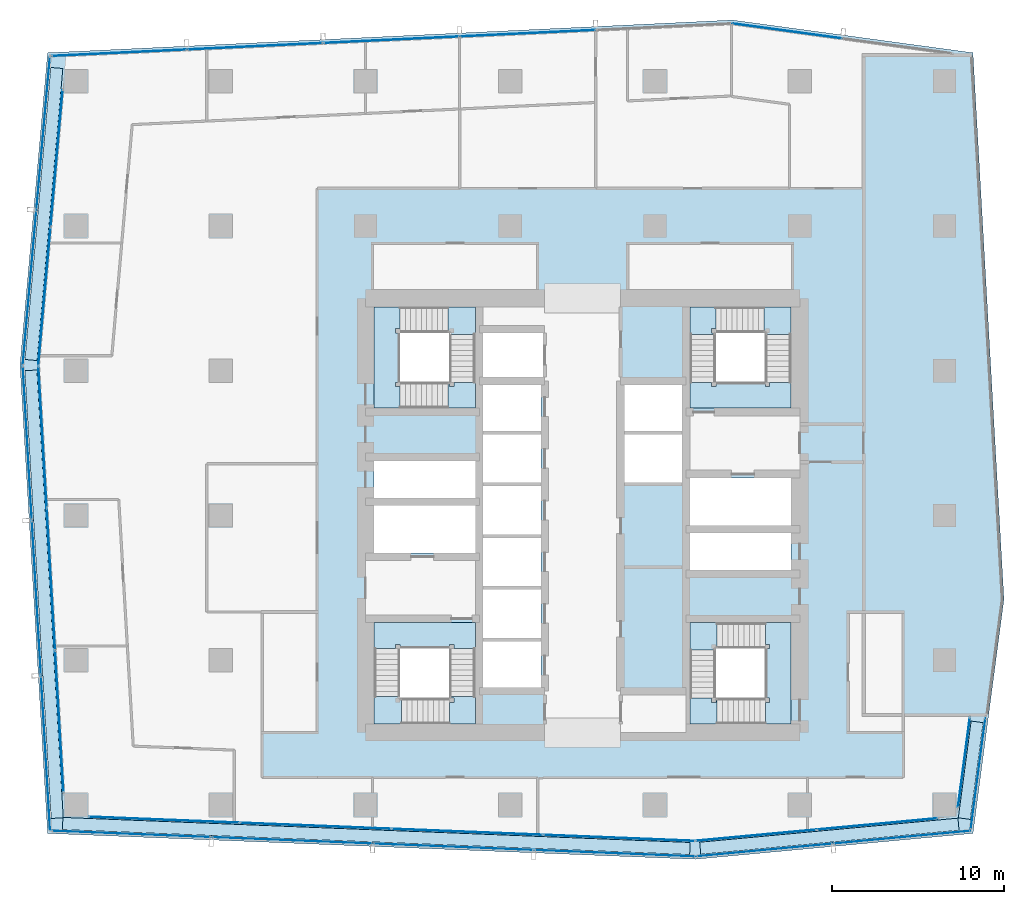
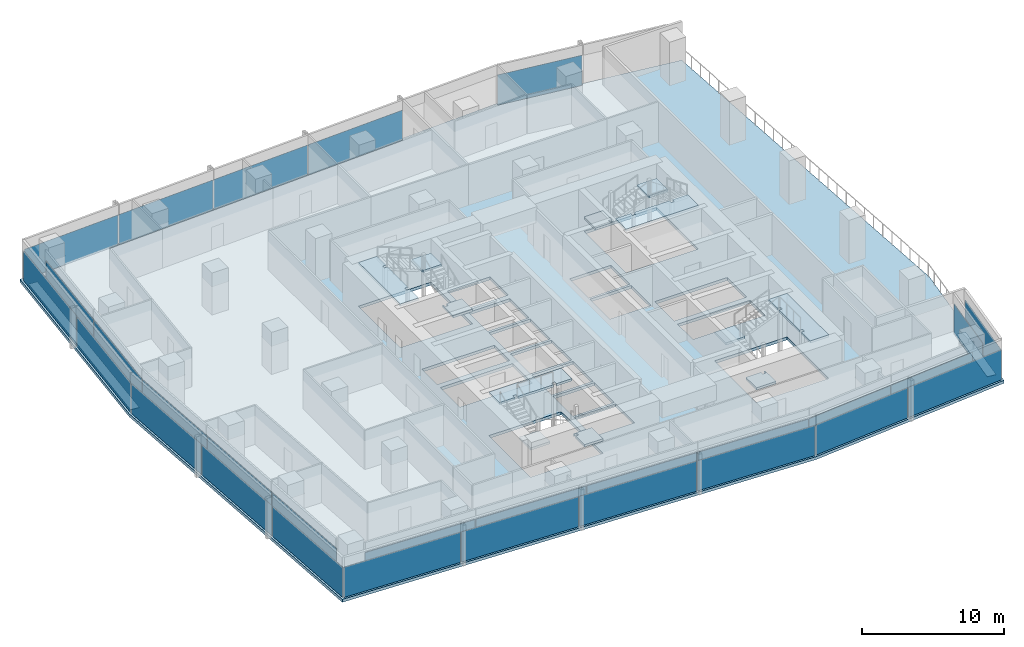
# One storey, part 21 of 33: 34 plates, 13 slabs, 16 elements without a shape of their own.
"""IFC4 building model written with IfcOpenShell, lengths in metres."""

from ifc_helpers import new_model, si_unit, direction, frame, origin, origin_2d, place, context, subcontext, project, spatial, polyline, rectangle, outline, extrude, material, layer, layer_set, type_object, element, aggregate, save


model = new_model("IFC4")

# Units and contexts
model_context = context("Model", 3, precision=1e-05, world=origin(), true_north=direction((0.0, 1.0)))
body_context = subcontext(model_context, "Body", "Model", "MODEL_VIEW")
ifc_project = project(units=[si_unit("LENGTHUNIT", "METRE"), si_unit("AREAUNIT", "SQUARE_METRE"), si_unit("VOLUMEUNIT", "CUBIC_METRE"), si_unit("PLANEANGLEUNIT", "RADIAN"), si_unit("MASSUNIT", "GRAM", prefix="KILO")], contexts=[model_context])

# Site, building, storey
site_placement = place(None, origin())
site = spatial("IfcSite", under=ifc_project, at=site_placement, CompositionType="ELEMENT")
building_placement = place(site_placement, origin())
building = spatial("IfcBuilding", under=site, at=building_placement, Name="Rekha Terrace Tower", CompositionType="ELEMENT")
storey_placement = place(building_placement, frame((0.0, 0.0, 206.449951171875)))
storey = spatial("IfcBuildingStorey", under=building, at=storey_placement, Name="L52", CompositionType="ELEMENT", Elevation=206.449951171875)

# Curtain wall, plates
ifc_material_1 = material(Name="Aluminium framing", Category="aluminium")
curtain_wall_type_1 = type_object("IfcCurtainWallType", Name="CW1 double skin inner glazing", PredefinedType="USERDEFINED", material=ifc_material_1)
curtain_wall_1_placement = place(storey_placement, origin())
curtain_wall_1 = element("IfcCurtainWall", 1, at=curtain_wall_1_placement, inside=storey, type_object=curtain_wall_type_1, Name="CW1 double skin inner glazing", ObjectType="DOUBLE SKIN INNER GLAZING", PredefinedType="USERDEFINED")
ifc_material_2 = material(Name="Double-glazed low-e unit 32", Category="glass")
ifc_layer_1 = layer(ifc_material_2, 0.031982421875)
ifc_layer_set_1 = layer_set([ifc_layer_1], Name="Double-glazed low-e unit 32")
plate_type_1 = type_object("IfcPlateType", Name="CW1 jumbo vision panel, double-glazed low-e unit 32", PredefinedType="CURTAIN_PANEL", material=ifc_layer_set_1)
plate_1_placement = place(storey_placement, frame((13.51318359375, 15.94091796875, 0.0), z_axis=(0.0, 0.0, 1.0), x_axis=(0.999204775798, -0.039872497061, 0.0)))
plate_1 = element("IfcPlate", 2, at=plate_1_placement, type_object=plate_type_1, Name="CW1 panel 1.1", PredefinedType="CURTAIN_PANEL", context=body_context, shape_type="SweptSolid", body=[
    extrude(rectangle(XDim=8.7138671875, YDim=0.031982421875, at=origin_2d()), origin(), (0.0, 0.0, 1.0), 2.60009765625),
])
plate_2_placement = place(storey_placement, frame((22.301025390625, 15.59033203125, 0.0), z_axis=(0.0, 0.0, 1.0), x_axis=(0.999204775798, -0.039872497061, 0.0)))
plate_2 = element("IfcPlate", 3, at=plate_2_placement, type_object=plate_type_1, Name="CW1 panel 2.1", PredefinedType="CURTAIN_PANEL", context=body_context, shape_type="SweptSolid", body=[
    extrude(rectangle(XDim=8.746337890625, YDim=0.031982421875, at=origin_2d()), origin(), (0.0, 0.0, 1.0), 2.60009765625),
])
plate_3_placement = place(storey_placement, frame((31.10546875, 15.239013671875, 0.0), z_axis=(0.0, 0.0, 1.0), x_axis=(0.999204775798, -0.039872497061, 0.0)))
plate_3 = element("IfcPlate", 4, at=plate_3_placement, type_object=plate_type_1, Name="CW1 panel 3.1", PredefinedType="CURTAIN_PANEL", context=body_context, shape_type="SweptSolid", body=[
    extrude(rectangle(XDim=8.746337890625, YDim=0.031982421875, at=origin_2d()), origin(), (0.0, 0.0, 1.0), 2.60009765625),
])
plate_4_placement = place(storey_placement, frame((39.926025390625, 14.886962890625, 0.0), z_axis=(0.0, 0.0, 1.0), x_axis=(0.999204775798, -0.039872497061, 0.0)))
plate_4 = element("IfcPlate", 5, at=plate_4_placement, type_object=plate_type_1, Name="CW1 panel 4.1", PredefinedType="CURTAIN_PANEL", context=body_context, shape_type="SweptSolid", body=[
    extrude(rectangle(XDim=8.77880859375, YDim=0.031982421875, at=origin_2d()), origin(), (0.0, 0.0, 1.0), 2.60009765625),
])
aggregate(curtain_wall_1, [plate_1, plate_2, plate_3, plate_4])

curtain_wall_2_placement = place(storey_placement, origin())
curtain_wall_2 = element("IfcCurtainWall", 6, at=curtain_wall_2_placement, inside=storey, type_object=curtain_wall_type_1, Name="CW1 double skin inner glazing", ObjectType="DOUBLE SKIN INNER GLAZING", PredefinedType="USERDEFINED")
plate_5_placement = place(storey_placement, frame((47.863037109375, 15.042724609375, 0.0), z_axis=(0.0, 0.0, 1.0), x_axis=(0.995693258742, 0.092708869564, 0.0)))
plate_5 = element("IfcPlate", 7, at=plate_5_placement, type_object=plate_type_1, Name="CW1 panel 1.1", PredefinedType="CURTAIN_PANEL", context=body_context, shape_type="SweptSolid", body=[
    extrude(rectangle(XDim=7.003173828125, YDim=0.031982421875, at=origin_2d()), origin(), (0.0, 0.0, 1.0), 2.60009765625),
])
plate_6_placement = place(storey_placement, frame((54.90087890625, 15.697998046875, 0.0), z_axis=(0.0, 0.0, 1.0), x_axis=(0.995693258742, 0.092708869564, 0.0)))
plate_6 = element("IfcPlate", 8, at=plate_6_placement, type_object=plate_type_1, Name="CW1 panel 2.1", PredefinedType="CURTAIN_PANEL", context=body_context, shape_type="SweptSolid", body=[
    extrude(rectangle(XDim=7.003173828125, YDim=0.031982421875, at=origin_2d()), origin(), (0.0, 0.0, 1.0), 2.60009765625),
])
aggregate(curtain_wall_2, [plate_5, plate_6])

# Curtain wall, plate
curtain_wall_3_placement = place(storey_placement, origin())
curtain_wall_3 = element("IfcCurtainWall", 9, at=curtain_wall_3_placement, inside=storey, type_object=curtain_wall_type_1, Name="CW1 double skin inner glazing", ObjectType="DOUBLE SKIN INNER GLAZING", PredefinedType="USERDEFINED")
plate_7_placement = place(storey_placement, frame((59.9248046875, 19.25732421875, 0.0), z_axis=(0.0, 0.0, 1.0), x_axis=(0.131303603162, 0.991342203175, 0.0)))
plate_7 = element("IfcPlate", 10, at=plate_7_placement, type_object=plate_type_1, Name="CW1 panel 1.1", PredefinedType="CURTAIN_PANEL", context=body_context, shape_type="SweptSolid", body=[
    extrude(rectangle(XDim=5.24609375, YDim=0.031982421875, at=origin_2d()), origin(), (0.0, 0.0, 1.0), 2.60009765625),
])
aggregate(curtain_wall_3, [plate_7])

# Curtain wall, plates
curtain_wall_4_placement = place(storey_placement, origin())
curtain_wall_4 = element("IfcCurtainWall", 11, at=curtain_wall_4_placement, inside=storey, type_object=curtain_wall_type_1, Name="CW1 double skin inner glazing", ObjectType="DOUBLE SKIN INNER GLAZING", PredefinedType="USERDEFINED")
plate_8_placement = place(storey_placement, frame((7.273193359375, 54.32421875, 0.0), z_axis=(0.0, 0.0, 1.0), x_axis=(-0.087957985523, -0.996124185422, 0.0)))
plate_8 = element("IfcPlate", 12, at=plate_8_placement, type_object=plate_type_1, Name="CW1 panel 1.1", PredefinedType="CURTAIN_PANEL", context=body_context, shape_type="SweptSolid", body=[
    extrude(rectangle(XDim=7.950927734375, YDim=0.031982421875, at=origin_2d()), origin(), (0.0, 0.0, 1.0), 2.60009765625),
])
plate_9_placement = place(storey_placement, frame((6.565185546875, 46.306884765625, 0.0), z_axis=(0.0, 0.0, 1.0), x_axis=(-0.087957985523, -0.996124185422, 0.0)))
plate_9 = element("IfcPlate", 13, at=plate_9_placement, type_object=plate_type_1, Name="CW1 panel 2.1", PredefinedType="CURTAIN_PANEL", context=body_context, shape_type="SweptSolid", body=[
    extrude(rectangle(XDim=8.01611328125, YDim=0.031982421875, at=origin_2d()), origin(), (0.0, 0.0, 1.0), 2.60009765625),
])
aggregate(curtain_wall_4, [plate_8, plate_9])

curtain_wall_5_placement = place(storey_placement, origin())
curtain_wall_5 = element("IfcCurtainWall", 14, at=curtain_wall_5_placement, inside=storey, type_object=curtain_wall_type_1, Name="CW1 double skin inner glazing", ObjectType="DOUBLE SKIN INNER GLAZING", PredefinedType="USERDEFINED")
plate_10_placement = place(storey_placement, frame((6.457275390625, 38.1611328125, 0.0), z_axis=(0.0, 0.0, 1.0), x_axis=(0.058765082516, -0.998271839269, 0.0)))
plate_10 = element("IfcPlate", 15, at=plate_10_placement, type_object=plate_type_1, Name="CW1 panel 1.1", PredefinedType="CURTAIN_PANEL", context=body_context, shape_type="SweptSolid", body=[
    extrude(rectangle(XDim=8.19091796875, YDim=0.031982421875, at=origin_2d()), origin(), (0.0, 0.0, 1.0), 2.60009765625),
])
plate_11_placement = place(storey_placement, frame((6.943359375, 29.9033203125, 0.0), z_axis=(0.0, 0.0, 1.0), x_axis=(0.058765082516, -0.998271839269, 0.0)))
plate_11 = element("IfcPlate", 16, at=plate_11_placement, type_object=plate_type_1, Name="CW1 panel 2.1", PredefinedType="CURTAIN_PANEL", context=body_context, shape_type="SweptSolid", body=[
    extrude(rectangle(XDim=8.223388671875, YDim=0.031982421875, at=origin_2d()), origin(), (0.0, 0.0, 1.0), 2.60009765625),
])
plate_12_placement = place(storey_placement, frame((7.429443359375, 21.645263671875, 0.0), z_axis=(0.0, 0.0, 1.0), x_axis=(0.058765082516, -0.998271839269, 0.0)))
plate_12 = element("IfcPlate", 17, at=plate_12_placement, type_object=plate_type_1, Name="CW1 panel 3.1", PredefinedType="CURTAIN_PANEL", context=body_context, shape_type="SweptSolid", body=[
    extrude(rectangle(XDim=8.19091796875, YDim=0.031982421875, at=origin_2d()), origin(), (0.0, 0.0, 1.0), 2.60009765625),
])
aggregate(curtain_wall_5, [plate_10, plate_11, plate_12])

curtain_wall_type_2 = type_object("IfcCurtainWallType", Name="CW2 double skin outer glazing", PredefinedType="USERDEFINED", material=ifc_material_1)
curtain_wall_6_placement = place(storey_placement, origin())
curtain_wall_6 = element("IfcCurtainWall", 18, at=curtain_wall_6_placement, inside=storey, type_object=curtain_wall_type_2, Name="CW2 double skin outer glazing", ObjectType="DOUBLE SKIN OUTER GLAZING", PredefinedType="USERDEFINED")
ifc_material_3 = material(Name="Toughened single glazing 12", Category="glass")
ifc_layer_2 = layer(ifc_material_3, 0.011962890625)
ifc_layer_set_2 = layer_set([ifc_layer_2], Name="Toughened single glazing 12")
plate_type_2 = type_object("IfcPlateType", Name="CW2 jumbo vision panel, toughened single glazing 12", PredefinedType="CURTAIN_PANEL", material=ifc_layer_set_2)
plate_13_placement = place(storey_placement, frame((11.6005859375, 15.116455078125, 0.0), z_axis=(0.0, 0.0, 1.0), x_axis=(0.999204775799, -0.039872497044, 0.0)))
plate_13 = element("IfcPlate", 19, at=plate_13_placement, type_object=plate_type_2, Name="CW2 panel 1.1", PredefinedType="CURTAIN_PANEL", context=body_context, shape_type="SweptSolid", body=[
    extrude(rectangle(XDim=9.24609375, YDim=0.011962890625, at=origin_2d()), origin(), (0.0, 0.0, 1.0), 2.60009765625),
])
plate_14_placement = place(storey_placement, frame((20.939208984375, 14.743896484375, 0.0), z_axis=(0.0, 0.0, 1.0), x_axis=(0.999204775799, -0.039872497044, 0.0)))
plate_14 = element("IfcPlate", 20, at=plate_14_placement, type_object=plate_type_2, Name="CW2 panel 2.1", PredefinedType="CURTAIN_PANEL", context=body_context, shape_type="SweptSolid", body=[
    extrude(rectangle(XDim=9.2861328125, YDim=0.011962890625, at=origin_2d()), origin(), (0.0, 0.0, 1.0), 2.60009765625),
])
plate_15_placement = place(storey_placement, frame((30.2978515625, 14.370361328125, 0.0), z_axis=(0.0, 0.0, 1.0), x_axis=(0.999204775799, -0.039872497044, 0.0)))
plate_15 = element("IfcPlate", 21, at=plate_15_placement, type_object=plate_type_2, Name="CW2 panel 3.1", PredefinedType="CURTAIN_PANEL", context=body_context, shape_type="SweptSolid", body=[
    extrude(rectangle(XDim=9.2861328125, YDim=0.011962890625, at=origin_2d()), origin(), (0.0, 0.0, 1.0), 2.60009765625),
])
plate_16_placement = place(storey_placement, frame((39.676513671875, 13.996337890625, 0.0), z_axis=(0.0, 0.0, 1.0), x_axis=(0.999204775799, -0.039872497044, 0.0)))
plate_16 = element("IfcPlate", 22, at=plate_16_placement, type_object=plate_type_2, Name="CW2 panel 4.1", PredefinedType="CURTAIN_PANEL", context=body_context, shape_type="SweptSolid", body=[
    extrude(rectangle(XDim=9.326171875, YDim=0.011962890625, at=origin_2d()), origin(), (0.0, 0.0, 1.0), 2.60009765625),
])
aggregate(curtain_wall_6, [plate_13, plate_14, plate_15, plate_16])

curtain_wall_7_placement = place(storey_placement, origin())
curtain_wall_7 = element("IfcCurtainWall", 23, at=curtain_wall_7_placement, inside=storey, type_object=curtain_wall_type_2, Name="CW2 double skin outer glazing", ObjectType="DOUBLE SKIN OUTER GLAZING", PredefinedType="USERDEFINED")
plate_17_placement = place(storey_placement, frame((48.348876953125, 14.183837890625, 0.0), z_axis=(0.0, 0.0, 1.0), x_axis=(0.995693258747, 0.092708869512, 0.0)))
plate_17 = element("IfcPlate", 24, at=plate_17_placement, type_object=plate_type_2, Name="CW2 panel 1.1", PredefinedType="CURTAIN_PANEL", context=body_context, shape_type="SweptSolid", body=[
    extrude(rectangle(XDim=7.900634765625, YDim=0.011962890625, at=origin_2d()), origin(), (0.0, 0.0, 1.0), 2.60009765625),
])
plate_18_placement = place(storey_placement, frame((56.3349609375, 14.927490234375, 0.0), z_axis=(0.0, 0.0, 1.0), x_axis=(0.995693258747, 0.092708869512, 0.0)))
plate_18 = element("IfcPlate", 25, at=plate_18_placement, type_object=plate_type_2, Name="CW2 panel 2.1", PredefinedType="CURTAIN_PANEL", context=body_context, shape_type="SweptSolid", body=[
    extrude(rectangle(XDim=7.980712890625, YDim=0.011962890625, at=origin_2d()), origin(), (0.0, 0.0, 1.0), 2.60009765625),
])
aggregate(curtain_wall_7, [plate_17, plate_18])

# Curtain wall, plate
curtain_wall_8_placement = place(storey_placement, origin())
curtain_wall_8 = element("IfcCurtainWall", 26, at=curtain_wall_8_placement, inside=storey, type_object=curtain_wall_type_2, Name="CW2 double skin outer glazing", ObjectType="DOUBLE SKIN OUTER GLAZING", PredefinedType="USERDEFINED")
plate_19_placement = place(storey_placement, frame((60.746826171875, 18.60986328125, 0.0), z_axis=(0.0, 0.0, 1.0), x_axis=(0.13130360311, 0.991342203182, 0.0)))
plate_19 = element("IfcPlate", 27, at=plate_19_placement, type_object=plate_type_2, Name="CW2 panel 1.1", PredefinedType="CURTAIN_PANEL", context=body_context, shape_type="SweptSolid", body=[
    extrude(rectangle(XDim=6.5224609375, YDim=0.011962890625, at=origin_2d()), origin(), (0.0, 0.0, 1.0), 2.60009765625),
])
aggregate(curtain_wall_8, [plate_19])

# Curtain wall, plates
curtain_wall_9_placement = place(storey_placement, origin())
curtain_wall_9 = element("IfcCurtainWall", 28, at=curtain_wall_9_placement, inside=storey, type_object=curtain_wall_type_2, Name="CW2 double skin outer glazing", ObjectType="DOUBLE SKIN OUTER GLAZING", PredefinedType="USERDEFINED")
plate_20_placement = place(storey_placement, frame((6.498779296875, 55.78466796875, 0.0), z_axis=(0.0, 0.0, 1.0), x_axis=(-0.087957985453, -0.996124185428, 0.0)))
plate_20 = element("IfcPlate", 29, at=plate_20_placement, type_object=plate_type_2, Name="CW2 panel 1.1", PredefinedType="CURTAIN_PANEL", context=body_context, shape_type="SweptSolid", body=[
    extrude(rectangle(XDim=8.899658203125, YDim=0.011962890625, at=origin_2d()), origin(), (0.0, 0.0, 1.0), 2.60009765625),
])
plate_21_placement = place(storey_placement, frame((5.705322265625, 46.800048828125, 0.0), z_axis=(0.0, 0.0, 1.0), x_axis=(-0.087957985453, -0.996124185428, 0.0)))
plate_21 = element("IfcPlate", 30, at=plate_21_placement, type_object=plate_type_2, Name="CW2 panel 2.1", PredefinedType="CURTAIN_PANEL", context=body_context, shape_type="SweptSolid", body=[
    extrude(rectangle(XDim=8.9794921875, YDim=0.011962890625, at=origin_2d()), origin(), (0.0, 0.0, 1.0), 2.60009765625),
])
aggregate(curtain_wall_9, [plate_20, plate_21])

curtain_wall_10_placement = place(storey_placement, origin())
curtain_wall_10 = element("IfcCurtainWall", 31, at=curtain_wall_10_placement, inside=storey, type_object=curtain_wall_type_2, Name="CW2 double skin outer glazing", ObjectType="DOUBLE SKIN OUTER GLAZING", PredefinedType="USERDEFINED")
plate_22_placement = place(storey_placement, frame((5.57666015625, 37.8037109375, 0.0), z_axis=(0.0, 0.0, 1.0), x_axis=(0.058765082499, -0.99827183927, 0.0)))
plate_22 = element("IfcPlate", 32, at=plate_22_placement, type_object=plate_type_2, Name="CW2 panel 1.1", PredefinedType="CURTAIN_PANEL", context=body_context, shape_type="SweptSolid", body=[
    extrude(rectangle(XDim=8.903564453125, YDim=0.011962890625, at=origin_2d()), origin(), (0.0, 0.0, 1.0), 2.60009765625),
])
plate_23_placement = place(storey_placement, frame((6.105712890625, 28.81591796875, 0.0), z_axis=(0.0, 0.0, 1.0), x_axis=(0.058765082499, -0.99827183927, 0.0)))
plate_23 = element("IfcPlate", 33, at=plate_23_placement, type_object=plate_type_2, Name="CW2 panel 2.1", PredefinedType="CURTAIN_PANEL", context=body_context, shape_type="SweptSolid", body=[
    extrude(rectangle(XDim=8.943359375, YDim=0.011962890625, at=origin_2d()), origin(), (0.0, 0.0, 1.0), 2.60009765625),
])
plate_24_placement = place(storey_placement, frame((6.63720703125, 19.7880859375, 0.0), z_axis=(0.0, 0.0, 1.0), x_axis=(0.058765082499, -0.99827183927, 0.0)))
plate_24 = element("IfcPlate", 34, at=plate_24_placement, type_object=plate_type_2, Name="CW2 panel 3.1", PredefinedType="CURTAIN_PANEL", context=body_context, shape_type="SweptSolid", body=[
    extrude(rectangle(XDim=8.9833984375, YDim=0.011962890625, at=origin_2d()), origin(), (0.0, 0.0, 1.0), 2.60009765625),
])
aggregate(curtain_wall_10, [plate_22, plate_23, plate_24])

# Curtain wall, plate
curtain_wall_type_3 = type_object("IfcCurtainWallType", Name="CW3 north unitised glazing", PredefinedType="USERDEFINED", material=ifc_material_1)
curtain_wall_11_placement = place(storey_placement, origin())
curtain_wall_11 = element("IfcCurtainWall", 35, at=curtain_wall_11_placement, inside=storey, type_object=curtain_wall_type_3, Name="CW3 unitised curtain wall", ObjectType="UNITISED CURTAIN WALL", PredefinedType="USERDEFINED")
ifc_material_4 = material(Name="Double-glazed unit 28", Category="glass")
ifc_layer_3 = layer(ifc_material_4, 0.028076171875)
ifc_layer_set_3 = layer_set([ifc_layer_3], Name="Double-glazed unit 28")
plate_type_3 = type_object("IfcPlateType", Name="CW3 jumbo vision panel, double-glazed unit 28", PredefinedType="CURTAIN_PANEL", material=ifc_layer_set_3)
plate_25_placement = place(storey_placement, frame((49.6591796875, 61.716552734375, 0.0), z_axis=(0.0, 0.0, 1.0), x_axis=(-0.990867270506, 0.134840840399, 0.0)))
plate_25 = element("IfcPlate", 36, at=plate_25_placement, type_object=plate_type_3, Name="CW3 panel 2.1", PredefinedType="CURTAIN_PANEL", context=body_context, shape_type="SweptSolid", body=[
    extrude(rectangle(XDim=6.41845703125, YDim=0.028076171875, at=origin_2d()), origin(), (0.0, 0.0, 1.0), 2.60009765625),
])
aggregate(curtain_wall_11, [plate_25])

# Curtain wall, plates
curtain_wall_12_placement = place(storey_placement, origin())
curtain_wall_12 = element("IfcCurtainWall", 37, at=curtain_wall_12_placement, inside=storey, type_object=curtain_wall_type_3, Name="CW3 unitised curtain wall", ObjectType="UNITISED CURTAIN WALL", PredefinedType="USERDEFINED")
plate_26_placement = place(storey_placement, frame((34.61572265625, 61.58203125, 0.0), z_axis=(0.0, 0.0, 1.0), x_axis=(-0.998858906204, -0.047758616983, 0.0)))
plate_26 = element("IfcPlate", 38, at=plate_26_placement, type_object=plate_type_3, Name="CW3 panel 2.1", PredefinedType="CURTAIN_PANEL", context=body_context, shape_type="SweptSolid", body=[
    extrude(rectangle(XDim=7.84814453125, YDim=0.028076171875, at=origin_2d()), origin(), (0.0, 0.0, 1.0), 2.60009765625),
])
plate_27_placement = place(storey_placement, frame((26.70654296875, 61.203857421875, 0.0), z_axis=(0.0, 0.0, 1.0), x_axis=(-0.998858906204, -0.047758616983, 0.0)))
plate_27 = element("IfcPlate", 39, at=plate_27_placement, type_object=plate_type_3, Name="CW3 panel 3.1", PredefinedType="CURTAIN_PANEL", context=body_context, shape_type="SweptSolid", body=[
    extrude(rectangle(XDim=7.84814453125, YDim=0.028076171875, at=origin_2d()), origin(), (0.0, 0.0, 1.0), 2.60009765625),
])
plate_28_placement = place(storey_placement, frame((18.79736328125, 60.82568359375, 0.0), z_axis=(0.0, 0.0, 1.0), x_axis=(-0.998858906204, -0.047758616983, 0.0)))
plate_28 = element("IfcPlate", 40, at=plate_28_placement, type_object=plate_type_3, Name="CW3 panel 4.1", PredefinedType="CURTAIN_PANEL", context=body_context, shape_type="SweptSolid", body=[
    extrude(rectangle(XDim=7.84814453125, YDim=0.028076171875, at=origin_2d()), origin(), (0.0, 0.0, 1.0), 2.60009765625),
])
plate_29_placement = place(storey_placement, frame((10.906005859375, 60.448486328125, 0.0), z_axis=(0.0, 0.0, 1.0), x_axis=(-0.998858906204, -0.047758616983, 0.0)))
plate_29 = element("IfcPlate", 41, at=plate_29_placement, type_object=plate_type_3, Name="CW3 panel 5.1", PredefinedType="CURTAIN_PANEL", context=body_context, shape_type="SweptSolid", body=[
    extrude(rectangle(XDim=7.81298828125, YDim=0.028076171875, at=origin_2d()), origin(), (0.0, 0.0, 1.0), 2.60009765625),
])
aggregate(curtain_wall_12, [plate_26, plate_27, plate_28, plate_29])

# Plates
ifc_material_5 = material(Name="Galvanised steel open grating", Category="steel")
ifc_layer_4 = layer(ifc_material_5, 0.050048828125)
ifc_layer_set_4 = layer_set([ifc_layer_4], Name="Galvanised steel open grating")
plate_type_4 = type_object("IfcPlateType", Name="GT1 cavity walkway grating 50", PredefinedType="USERDEFINED", material=ifc_layer_set_4)
plate_30_placement = place(storey_placement, frame((25.8251953125, 14.999267578125, 0.0), z_axis=(0.0, 0.0, 1.0), x_axis=(0.999204775799, -0.039872497044, 0.0)))
element("IfcPlate", 42, at=plate_30_placement, inside=storey, type_object=plate_type_4, Name="Cavity walkway grating", ObjectType="CAVITY WALKWAY GRATING", PredefinedType="USERDEFINED", context=body_context, shape_type="SweptSolid", body=[
    extrude(rectangle(XDim=36.4267578125, YDim=0.705078125, at=origin_2d()), origin(), (0.0, 0.0, 1.0), 0.050048828125),
])
plate_31_placement = place(storey_placement, frame((52.116455078125, 14.98681640625, 0.0), z_axis=(0.0, 0.0, 1.0), x_axis=(0.995693258745, 0.092708869529, 0.0)))
element("IfcPlate", 43, at=plate_31_placement, inside=storey, type_object=plate_type_4, Name="Cavity walkway grating", ObjectType="CAVITY WALKWAY GRATING", PredefinedType="USERDEFINED", context=body_context, shape_type="SweptSolid", body=[
    extrude(rectangle(XDim=15.052734375, YDim=0.705078125, at=origin_2d()), origin(), (0.0, 0.0, 1.0), 0.050048828125),
])
plate_32_placement = place(storey_placement, frame((60.3203125, 18.817138671875, 0.0), z_axis=(0.0, 0.0, 1.0), x_axis=(0.131303603075, 0.991342203187, 0.0)))
element("IfcPlate", 44, at=plate_32_placement, inside=storey, type_object=plate_type_4, Name="Cavity walkway grating", ObjectType="CAVITY WALKWAY GRATING", PredefinedType="USERDEFINED", context=body_context, shape_type="SweptSolid", body=[
    extrude(rectangle(XDim=5.6640625, YDim=0.705078125, at=origin_2d()), origin(), (0.0, 0.0, 1.0), 0.050048828125),
])
plate_33_placement = place(storey_placement, frame((6.5361328125, 51.093505859375, 0.0), z_axis=(0.0, 0.0, 1.0), x_axis=(-0.087957985471, -0.996124185427, 0.0)))
element("IfcPlate", 45, at=plate_33_placement, inside=storey, type_object=plate_type_4, Name="Cavity walkway grating", ObjectType="CAVITY WALKWAY GRATING", PredefinedType="USERDEFINED", context=body_context, shape_type="SweptSolid", body=[
    extrude(rectangle(XDim=17.013427734375, YDim=0.705078125, at=origin_2d()), origin(), (0.0, 0.0, 1.0), 0.050048828125),
])
plate_34_placement = place(storey_placement, frame((6.5439453125, 29.029296875, 0.0), z_axis=(0.0, 0.0, 1.0), x_axis=(0.058765082516, -0.998271839269, 0.0)))
element("IfcPlate", 46, at=plate_34_placement, inside=storey, type_object=plate_type_4, Name="Cavity walkway grating", ObjectType="CAVITY WALKWAY GRATING", PredefinedType="USERDEFINED", context=body_context, shape_type="SweptSolid", body=[
    extrude(rectangle(XDim=26.029541015625, YDim=0.705078125, at=origin_2d()), origin(), (0.0, 0.0, 1.0), 0.050048828125),
])

# Stair, slabs
ifc_material_6 = material(Name="Concrete M40", Category="concrete")
stair_type = type_object("IfcStairType", Name="ST30 stair, 30 risers of 125, going 310, 1500 wide flights, 3 flights", PredefinedType="HALF_TURN_STAIR", material=ifc_material_6)
stair_1_placement = place(storey_placement, origin())
stair_1 = element("IfcStair", 47, at=stair_1_placement, inside=storey, type_object=stair_type, Name="Stair ST1 L52 to L53", PredefinedType="HALF_TURN_STAIR")
ifc_layer_5 = layer(ifc_material_6, 0.199951171875)
ifc_layer_set_5 = layer_set([ifc_layer_5], Name="Concrete M40")
slab_type_1 = type_object("IfcSlabType", Name="LD1 200 concrete stair landing", PredefinedType="LANDING", material=ifc_layer_set_5)
slab_1_placement = place(storey_placement, frame((0.0, 0.0, 1.050048828125)))
slab_1 = element("IfcSlab", 48, at=slab_1_placement, type_object=slab_type_1, Name="ST1 landing 1", PredefinedType="LANDING", context=body_context, shape_type="SweptSolid", body=[
    extrude(outline(polyline([(30.074951171875, 21.5), (31.574951171875, 21.5), (31.574951171875, 23.0849609375), (30.074951171875, 23.0849609375), (30.074951171875, 23.0), (30.324951171875, 23.0), (30.324951171875, 22.75), (30.074951171875, 22.75), (30.074951171875, 21.5)])), origin(), (0.0, 0.0, 1.0), 0.199951171875),
])
slab_2_placement = place(storey_placement, frame((0.0, 0.0, 2.300048828125)))
slab_2 = element("IfcSlab", 49, at=slab_2_placement, type_object=slab_type_1, Name="ST1 landing 2", PredefinedType="LANDING", context=body_context, shape_type="SweptSolid", body=[
    extrude(outline(polyline([(27.199951171875, 23.0849609375), (25.699951171875, 23.0849609375), (25.699951171875, 21.5), (27.284912109375, 21.5), (27.284912109375, 23.0), (27.199951171875, 23.0), (27.199951171875, 23.0849609375)])), origin(), (0.0, 0.0, 1.0), 0.199951171875),
])
slab_3_placement = place(storey_placement, frame((0.0, 0.0, 3.550048828125)))
slab_3 = element("IfcSlab", 50, at=slab_3_placement, type_object=slab_type_1, Name="ST1 landing 3", PredefinedType="LANDING", context=body_context, shape_type="SweptSolid", body=[
    extrude(outline(polyline([(31.574951171875, 25.875), (31.574951171875, 27.375), (25.699951171875, 27.375), (25.699951171875, 25.875), (26.949951171875, 25.875), (26.949951171875, 26.125), (27.199951171875, 26.125), (27.199951171875, 25.875), (30.074951171875, 25.875), (30.074951171875, 26.125), (30.324951171875, 26.125), (30.324951171875, 25.875), (31.574951171875, 25.875)])), origin(), (0.0, 0.0, 1.0), 0.199951171875),
])
aggregate(stair_1, [slab_1, slab_2, slab_3])

stair_2_placement = place(storey_placement, origin())
stair_2 = element("IfcStair", 51, at=stair_2_placement, inside=storey, type_object=stair_type, Name="Stair ST2 L52 to L53", PredefinedType="HALF_TURN_STAIR")
slab_4_placement = place(storey_placement, frame((0.0, 0.0, 1.050048828125)))
slab_4 = element("IfcSlab", 52, at=slab_4_placement, type_object=slab_type_1, Name="ST2 landing 1", PredefinedType="LANDING", context=body_context, shape_type="SweptSolid", body=[
    extrude(outline(polyline([(45.52490234375, 45.699951171875), (44.02490234375, 45.699951171875), (44.02490234375, 44.114990234375), (45.52490234375, 44.114990234375), (45.52490234375, 44.199951171875), (45.27490234375, 44.199951171875), (45.27490234375, 44.449951171875), (45.52490234375, 44.449951171875), (45.52490234375, 45.699951171875)])), origin(), (0.0, 0.0, 1.0), 0.199951171875),
])
slab_5_placement = place(storey_placement, frame((0.0, 0.0, 2.300048828125)))
slab_5 = element("IfcSlab", 53, at=slab_5_placement, type_object=slab_type_1, Name="ST2 landing 2", PredefinedType="LANDING", context=body_context, shape_type="SweptSolid", body=[
    extrude(outline(polyline([(48.39990234375, 44.114990234375), (49.89990234375, 44.114990234375), (49.89990234375, 45.699951171875), (48.31494140625, 45.699951171875), (48.31494140625, 44.199951171875), (48.39990234375, 44.199951171875), (48.39990234375, 44.114990234375)])), origin(), (0.0, 0.0, 1.0), 0.199951171875),
])
slab_6_placement = place(storey_placement, frame((0.0, 0.0, 3.550048828125)))
slab_6 = element("IfcSlab", 54, at=slab_6_placement, type_object=slab_type_1, Name="ST2 landing 3", PredefinedType="LANDING", context=body_context, shape_type="SweptSolid", body=[
    extrude(outline(polyline([(44.02490234375, 41.324951171875), (44.02490234375, 39.824951171875), (49.89990234375, 39.824951171875), (49.89990234375, 41.324951171875), (48.64990234375, 41.324951171875), (48.64990234375, 41.074951171875), (48.39990234375, 41.074951171875), (48.39990234375, 41.324951171875), (45.52490234375, 41.324951171875), (45.52490234375, 41.074951171875), (45.27490234375, 41.074951171875), (45.27490234375, 41.324951171875), (44.02490234375, 41.324951171875)])), origin(), (0.0, 0.0, 1.0), 0.199951171875),
])
aggregate(stair_2, [slab_4, slab_5, slab_6])

stair_3_placement = place(storey_placement, origin())
stair_3 = element("IfcStair", 55, at=stair_3_placement, inside=storey, type_object=stair_type, Name="Stair ST3 L52 to L53", PredefinedType="HALF_TURN_STAIR")
slab_7_placement = place(storey_placement, frame((0.0, 0.0, 1.050048828125)))
slab_7 = element("IfcSlab", 56, at=slab_7_placement, type_object=slab_type_1, Name="ST3 landing 1", PredefinedType="LANDING", context=body_context, shape_type="SweptSolid", body=[
    extrude(outline(polyline([(44.02490234375, 23.0), (44.02490234375, 21.5), (45.610107421875, 21.5), (45.610107421875, 23.0), (45.52490234375, 23.0), (45.52490234375, 22.75), (45.27490234375, 22.75), (45.27490234375, 23.0), (44.02490234375, 23.0)])), origin(), (0.0, 0.0, 1.0), 0.199951171875),
])
slab_8_placement = place(storey_placement, frame((0.0, 0.0, 2.300048828125)))
slab_8 = element("IfcSlab", 57, at=slab_8_placement, type_object=slab_type_1, Name="ST3 landing 2", PredefinedType="LANDING", context=body_context, shape_type="SweptSolid", body=[
    extrude(outline(polyline([(45.610107421875, 25.875), (45.610107421875, 27.375), (44.02490234375, 27.375), (44.02490234375, 25.7900390625), (45.52490234375, 25.7900390625), (45.52490234375, 25.875), (45.610107421875, 25.875)])), origin(), (0.0, 0.0, 1.0), 0.199951171875),
])
slab_9_placement = place(storey_placement, frame((0.0, 0.0, 3.550048828125)))
slab_9 = element("IfcSlab", 58, at=slab_9_placement, type_object=slab_type_1, Name="ST3 landing 3", PredefinedType="LANDING", context=body_context, shape_type="SweptSolid", body=[
    extrude(outline(polyline([(48.39990234375, 21.5), (49.89990234375, 21.5), (49.89990234375, 27.375), (48.39990234375, 27.375), (48.39990234375, 26.125), (48.64990234375, 26.125), (48.64990234375, 25.875), (48.39990234375, 25.875), (48.39990234375, 23.0), (48.64990234375, 23.0), (48.64990234375, 22.75), (48.39990234375, 22.75), (48.39990234375, 21.5)])), origin(), (0.0, 0.0, 1.0), 0.199951171875),
])
aggregate(stair_3, [slab_7, slab_8, slab_9])

stair_4_placement = place(storey_placement, origin())
stair_4 = element("IfcStair", 59, at=stair_4_placement, inside=storey, type_object=stair_type, Name="Stair ST4 L52 to L53", PredefinedType="HALF_TURN_STAIR")
slab_10_placement = place(storey_placement, frame((0.0, 0.0, 1.050048828125)))
slab_10 = element("IfcSlab", 60, at=slab_10_placement, type_object=slab_type_1, Name="ST4 landing 1", PredefinedType="LANDING", context=body_context, shape_type="SweptSolid", body=[
    extrude(outline(polyline([(31.574951171875, 41.324951171875), (31.574951171875, 39.824951171875), (29.989990234375, 39.824951171875), (29.989990234375, 41.324951171875), (30.074951171875, 41.324951171875), (30.074951171875, 41.074951171875), (30.324951171875, 41.074951171875), (30.324951171875, 41.324951171875), (31.574951171875, 41.324951171875)])), origin(), (0.0, 0.0, 1.0), 0.199951171875),
])
slab_11_placement = place(storey_placement, frame((0.0, 0.0, 2.300048828125)))
slab_11 = element("IfcSlab", 61, at=slab_11_placement, type_object=slab_type_1, Name="ST4 landing 2", PredefinedType="LANDING", context=body_context, shape_type="SweptSolid", body=[
    extrude(outline(polyline([(29.989990234375, 44.199951171875), (29.989990234375, 45.699951171875), (31.574951171875, 45.699951171875), (31.574951171875, 44.114990234375), (30.074951171875, 44.114990234375), (30.074951171875, 44.199951171875), (29.989990234375, 44.199951171875)])), origin(), (0.0, 0.0, 1.0), 0.199951171875),
])
slab_12_placement = place(storey_placement, frame((0.0, 0.0, 3.550048828125)))
slab_12 = element("IfcSlab", 62, at=slab_12_placement, type_object=slab_type_1, Name="ST4 landing 3", PredefinedType="LANDING", context=body_context, shape_type="SweptSolid", body=[
    extrude(outline(polyline([(27.199951171875, 39.824951171875), (25.699951171875, 39.824951171875), (25.699951171875, 45.699951171875), (27.199951171875, 45.699951171875), (27.199951171875, 44.449951171875), (26.949951171875, 44.449951171875), (26.949951171875, 44.199951171875), (27.199951171875, 44.199951171875), (27.199951171875, 41.324951171875), (26.949951171875, 41.324951171875), (26.949951171875, 41.074951171875), (27.199951171875, 41.074951171875), (27.199951171875, 39.824951171875)])), origin(), (0.0, 0.0, 1.0), 0.199951171875),
])
aggregate(stair_4, [slab_10, slab_11, slab_12])

# Slab
ifc_material_7 = material(Name="Concrete M50", Category="concrete")
ifc_layer_6 = layer(ifc_material_7, 0.25)
ifc_layer_set_6 = layer_set([ifc_layer_6], Name="Concrete M50")
slab_type_2 = type_object("IfcSlabType", Name="SL4 250 post-tensioned flat plate", PredefinedType="FLOOR", material=ifc_layer_set_6)
slab_13_placement = place(storey_placement, frame((0.0, 0.0, -0.25)))
element("IfcSlab", 63, at=slab_13_placement, inside=storey, type_object=slab_type_2, Name="Post-tensioned flat plate L52", PredefinedType="FLOOR", context=body_context, shape_type="SweptSolid", body=[
    extrude(outline(polyline([(5.14990234375, 42.330078125), (6.75, 15.14990234375), (44.340087890625, 13.64990234375), (60.449951171875, 15.14990234375), (62.25, 28.739990234375), (60.449951171875, 60.449951171875), (46.488037109375, 62.35009765625), (6.75, 60.449951171875), (5.14990234375, 42.330078125)]), holes=[polyline([(31.574951171875, 27.375), (31.574951171875, 21.5), (25.699951171875, 21.5), (25.699951171875, 27.375), (31.574951171875, 27.375)]), polyline([(35.375, 26.300048828125), (35.375, 23.625), (32.02490234375, 23.625), (32.02490234375, 26.300048828125), (35.375, 26.300048828125)]), polyline([(35.375, 29.300048828125), (35.375, 26.5), (32.02490234375, 26.5), (32.02490234375, 29.300048828125), (35.375, 29.300048828125)]), polyline([(35.375, 32.300048828125), (35.375, 29.5), (32.02490234375, 29.5), (32.02490234375, 32.300048828125), (35.375, 32.300048828125)]), polyline([(31.574951171875, 34.175048828125), (31.574951171875, 31.425048828125), (25.699951171875, 31.425048828125), (25.699951171875, 34.175048828125), (31.574951171875, 34.175048828125)]), polyline([(35.375, 35.300048828125), (35.375, 32.5), (32.02490234375, 32.5), (32.02490234375, 35.300048828125), (35.375, 35.300048828125)]), polyline([(31.574951171875, 36.77490234375), (31.574951171875, 34.625), (25.699951171875, 34.625), (25.699951171875, 36.77490234375), (31.574951171875, 36.77490234375)]), polyline([(35.375, 38.300048828125), (35.375, 35.5), (32.02490234375, 35.5), (32.02490234375, 38.300048828125), (35.375, 38.300048828125)]), polyline([(31.574951171875, 45.699951171875), (31.574951171875, 39.824951171875), (25.699951171875, 39.824951171875), (25.699951171875, 45.699951171875), (31.574951171875, 45.699951171875)]), polyline([(49.89990234375, 27.375), (49.89990234375, 21.5), (44.02490234375, 21.5), (44.02490234375, 27.375), (49.89990234375, 27.375)]), polyline([(49.89990234375, 32.574951171875), (49.89990234375, 30.425048828125), (44.02490234375, 30.425048828125), (44.02490234375, 32.574951171875), (49.89990234375, 32.574951171875)]), polyline([(49.89990234375, 35.77490234375), (49.89990234375, 33.02490234375), (44.02490234375, 33.02490234375), (44.02490234375, 35.77490234375), (49.89990234375, 35.77490234375)]), polyline([(43.574951171875, 38.300048828125), (43.574951171875, 35.5), (40.22509765625, 35.5), (40.22509765625, 38.300048828125), (43.574951171875, 38.300048828125)]), polyline([(35.375, 41.175048828125), (35.375, 38.5), (32.02490234375, 38.5), (32.02490234375, 41.175048828125), (35.375, 41.175048828125)]), polyline([(43.574951171875, 41.175048828125), (43.574951171875, 38.5), (40.22509765625, 38.5), (40.22509765625, 41.175048828125), (43.574951171875, 41.175048828125)]), polyline([(49.89990234375, 39.824951171875), (44.02490234375, 39.824951171875), (44.02490234375, 45.699951171875), (49.89990234375, 45.699951171875), (49.89990234375, 39.824951171875)]), polyline([(35.5, 41.625), (32.02490234375, 41.625), (32.02490234375, 44.175048828125), (35.5, 44.175048828125), (35.5, 41.625)])]), origin(), (0.0, 0.0, 1.0), 0.25),
])

save(model, "model.ifc")
